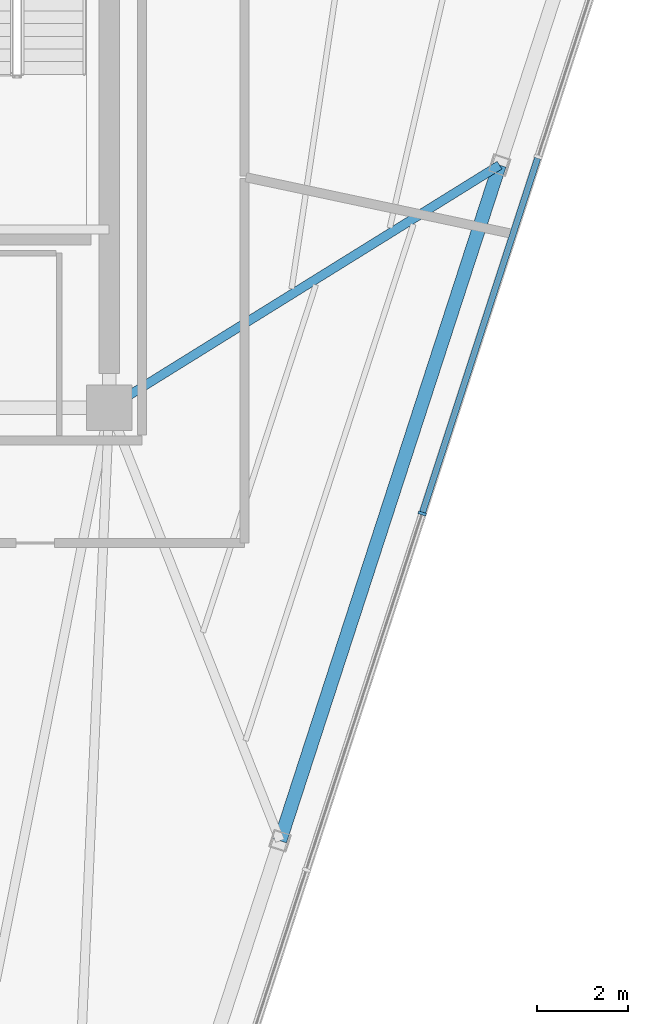
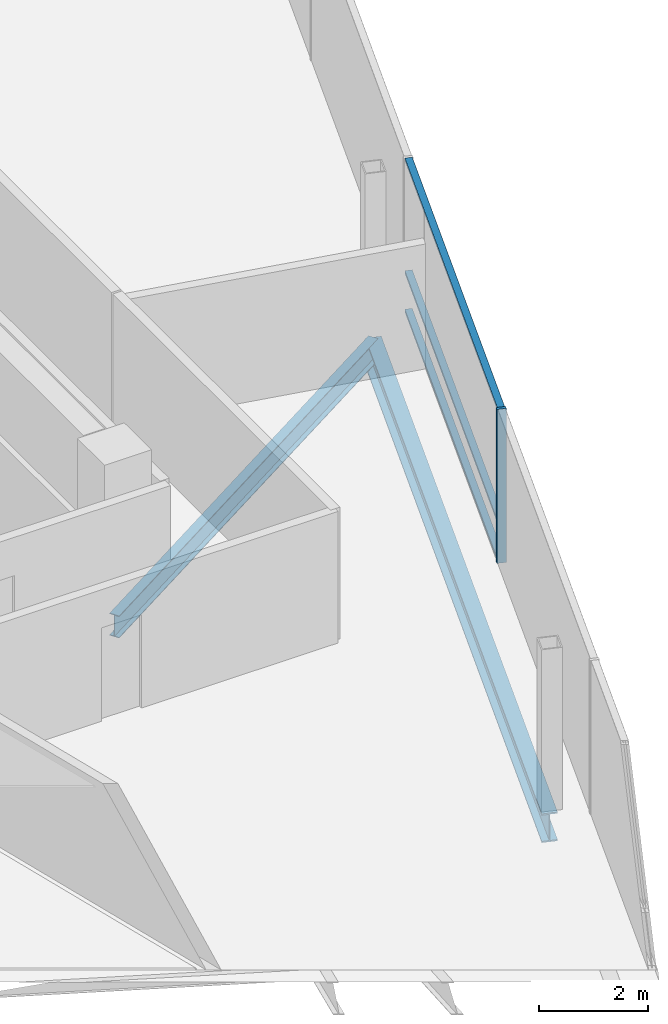
# One storey, part 5 of 15: 4 members, 2 beams, 1 element without a shape of its own.
"""IFC4 building model written with IfcOpenShell, lengths in metres."""

from ifc_helpers import new_model, si_unit, direction, frame, origin, origin_2d, place, context, subcontext, project, spatial, rectangle, i_section, extrude, material, layer, layer_set, material_profile, profile_set, type_object, element, aggregate, save


model = new_model("IFC4")

# Units and contexts
model_context = context("Model", 3, precision=1e-05, world=origin(), true_north=direction((0.0, 1.0)))
body_context = subcontext(model_context, "Body", "Model", "MODEL_VIEW")
ifc_project = project(units=[si_unit("LENGTHUNIT", "METRE"), si_unit("AREAUNIT", "SQUARE_METRE"), si_unit("VOLUMEUNIT", "CUBIC_METRE"), si_unit("PLANEANGLEUNIT", "RADIAN"), si_unit("MASSUNIT", "GRAM", prefix="KILO")], contexts=[model_context])

# Site, building, storey
site_placement = place(None, origin())
site = spatial("IfcSite", under=ifc_project, at=site_placement, CompositionType="ELEMENT")
building_placement = place(site_placement, origin())
building = spatial("IfcBuilding", under=site, at=building_placement, Name="Tharavind Bronze Gate", CompositionType="ELEMENT")
storey_placement = place(building_placement, frame((0.0, 0.0, 290.699951171875)))
storey = spatial("IfcBuildingStorey", under=building, at=storey_placement, Name="L75", CompositionType="ELEMENT", Elevation=290.699951171875)

# Curtain wall, members
ifc_material_1 = material(Name="Anodised Bronze Aluminium", Category="aluminium")
ifc_layer = layer(ifc_material_1, 0.219970703125)
ifc_layer_set = layer_set([ifc_layer], Name="Anodised Bronze Aluminium")
curtain_wall_type = type_object("IfcCurtainWallType", Name="UNITISED CURTAIN WALL CROWN", PredefinedType="USERDEFINED", material=ifc_layer_set)
curtain_wall_placement = place(storey_placement, origin())
curtain_wall = element("IfcCurtainWall", 1, at=curtain_wall_placement, inside=storey, type_object=curtain_wall_type, Name="L75 unitised curtain wall crown CW-L75-S2", ObjectType="UNITISED CURTAIN WALL", PredefinedType="USERDEFINED")
member_type_1 = type_object("IfcMemberType", Name="CURTAIN WALL BRONZE MULLION 65X180", PredefinedType="MULLION", material=ifc_material_1)
member_1_placement = place(storey_placement, frame((15.78759765625, -9.9296875, 0.0), z_axis=(0.0, 0.0, 1.0), x_axis=(0.309016994375, 0.951056516295, 0.0)))
member_1 = element("IfcMember", 2, at=member_1_placement, type_object=member_type_1, Name="CW-L75-S2 mullion 4", PredefinedType="MULLION", context=body_context, shape_type="SweptSolid", body=[
    extrude(rectangle(XDim=0.06494140625, YDim=0.179931640625, at=origin_2d()), origin(), (0.0, 0.0, 1.0), 3.465087890625),
])
member_type_2 = type_object("IfcMemberType", Name="CURTAIN WALL BRONZE TRANSOM 65X140", PredefinedType="USERDEFINED", material=ifc_material_1)
member_2_placement = place(storey_placement, frame((17.06201171875, -6.007568359375, 0.0), z_axis=(0.0, 0.0, 1.0), x_axis=(0.309016994375, 0.951056516295, 0.0)))
member_2 = element("IfcMember", 3, at=member_2_placement, type_object=member_type_2, Name="CW-L75-S2 transom TB4", ObjectType="TRANSOM", PredefinedType="USERDEFINED", context=body_context, shape_type="SweptSolid", body=[
    extrude(rectangle(XDim=8.195068359375, YDim=0.139892578125, at=origin_2d()), origin(), (0.0, 0.0, 1.0), 0.06494140625),
])
member_3_placement = place(storey_placement, frame((17.06201171875, -6.007568359375, 0.86767578125), z_axis=(0.0, 0.0, 1.0), x_axis=(0.309016994375, 0.951056516295, 0.0)))
member_3 = element("IfcMember", 4, at=member_3_placement, type_object=member_type_2, Name="CW-L75-S2 transom TS4", ObjectType="TRANSOM", PredefinedType="USERDEFINED", context=body_context, shape_type="SweptSolid", body=[
    extrude(rectangle(XDim=8.195068359375, YDim=0.139892578125, at=origin_2d()), origin(), (0.0, 0.0, 1.0), 0.06494140625),
])
member_4_placement = place(storey_placement, frame((17.06201171875, -6.007568359375, 3.400146484375), z_axis=(0.0, 0.0, 1.0), x_axis=(0.309016994375, 0.951056516295, 0.0)))
member_4 = element("IfcMember", 5, at=member_4_placement, type_object=member_type_2, Name="CW-L75-S2 transom TT4", ObjectType="TRANSOM", PredefinedType="USERDEFINED", context=body_context, shape_type="SweptSolid", body=[
    extrude(rectangle(XDim=8.195068359375, YDim=0.139892578125, at=origin_2d()), origin(), (0.0, 0.0, 1.0), 0.06494140625),
])
aggregate(curtain_wall, [member_1, member_2, member_3, member_4])

# Beams
ifc_material_2 = material(Name="Steel S355", Category="steel")
ifc_material_profile_1 = material_profile(ifc_material_2, i_section(OverallWidth=0.300048828125, OverallDepth=0.64990234375, WebThickness=0.01611328125, FlangeThickness=0.031005859375, at=origin_2d()), Name="HE650B")
ifc_profile_set_1 = profile_set([ifc_material_profile_1], Name="Steel S355")
beam_type_1 = type_object("IfcBeamType", Name="PRIMARY GIRDER HE650B", PredefinedType="USERDEFINED", material=ifc_profile_set_1)
beam_1_placement = place(storey_placement, frame((12.6591796875, -17.130615234375, -0.510009765625), z_axis=(0.30902108499, 0.951055187164, 0.0), x_axis=(-0.951055187164, 0.30902108499, 0.0)))
element("IfcBeam", 6, at=beam_1_placement, inside=storey, type_object=beam_type_1, Name="L75 primary girder he650b BM-L75-PRG06", ObjectType="GIRDER", PredefinedType="USERDEFINED", context=body_context, shape_type="SweptSolid", body=[
    extrude(i_section(OverallWidth=0.300048828125, OverallDepth=0.64990234375, WebThickness=0.01611328125, FlangeThickness=0.031005859375, at=origin_2d()), origin(), (0.0, 0.0, 1.0), 15.63037109375),
])
ifc_material_profile_2 = material_profile(ifc_material_2, i_section(OverallWidth=0.199951171875, OverallDepth=0.5, WebThickness=0.01025390625, FlangeThickness=0.01611328125, at=origin_2d()), Name="IPE500")
ifc_profile_set_2 = profile_set([ifc_material_profile_2], Name="Steel S355")
beam_type_2 = type_object("IfcBeamType", Name="PRIMARY GIRDER IPE500", PredefinedType="USERDEFINED", material=ifc_profile_set_2)
beam_2_placement = place(storey_placement, frame((17.4892578125, -2.265380859375, -0.43505859375), z_axis=(-0.849489786576, -0.527605063, 0.0), x_axis=(0.527605063, -0.849489786576, 0.0)))
element("IfcBeam", 7, at=beam_2_placement, inside=storey, type_object=beam_type_2, Name="L75 primary girder ipe500 BM-L75-RAD07", ObjectType="GIRDER", PredefinedType="USERDEFINED", context=body_context, shape_type="SweptSolid", body=[
    extrude(i_section(OverallWidth=0.199951171875, OverallDepth=0.5, WebThickness=0.01025390625, FlangeThickness=0.01611328125, at=origin_2d()), origin(), (0.0, 0.0, 1.0), 10.111083984375),
])

save(model, "model.ifc")
